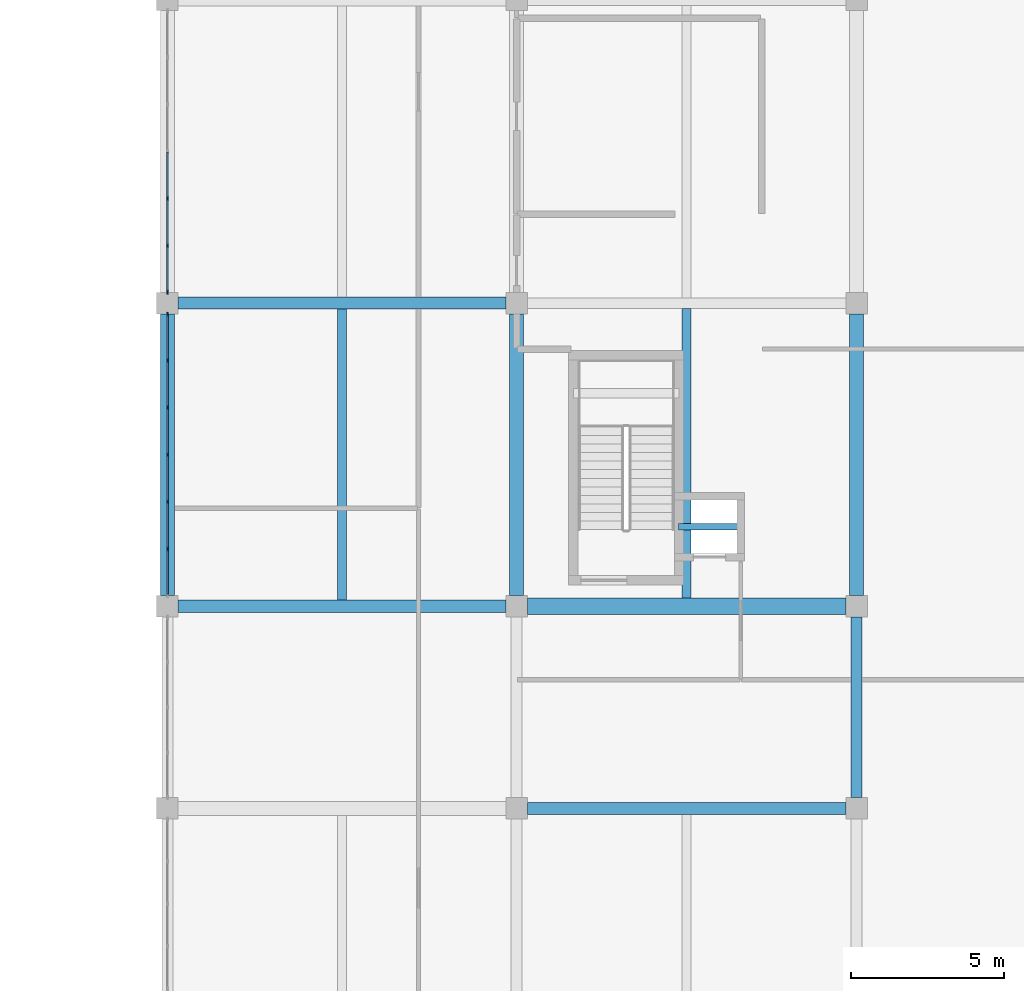
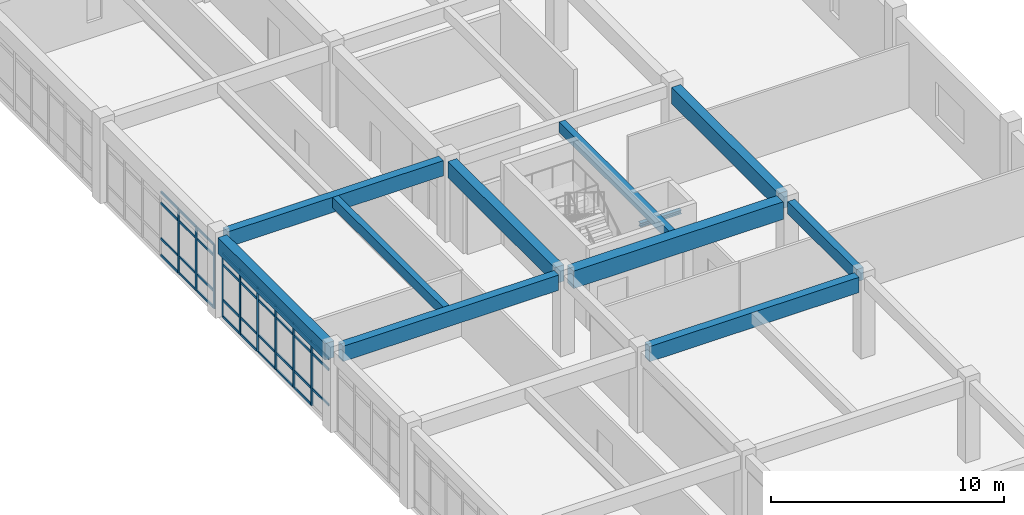
# One storey, part 25 of 57: 44 members, 11 beams, 2 elements without a shape of their own.
"""IFC4 building model written with IfcOpenShell, lengths in metres."""

from ifc_helpers import new_model, si_unit, direction, frame, origin, origin_2d, place, context, subcontext, project, spatial, rectangle, i_section, extrude, material, layer, layer_set, material_profile, profile_set, type_object, element, aggregate, save


model = new_model("IFC4")

# Units and contexts
model_context = context("Model", 3, precision=1e-05, world=origin(), true_north=direction((0.0, 1.0)))
body_context = subcontext(model_context, "Body", "Model", "MODEL_VIEW")
ifc_project = project(units=[si_unit("LENGTHUNIT", "METRE"), si_unit("AREAUNIT", "SQUARE_METRE"), si_unit("VOLUMEUNIT", "CUBIC_METRE"), si_unit("PLANEANGLEUNIT", "RADIAN"), si_unit("MASSUNIT", "GRAM", prefix="KILO")], contexts=[model_context])

# Site, building, storey
site_placement = place(None, origin())
site = spatial("IfcSite", under=ifc_project, at=site_placement, CompositionType="ELEMENT")
building_placement = place(site_placement, origin())
building = spatial("IfcBuilding", under=site, at=building_placement, Name="Miralva Faculty of Natural Sciences", CompositionType="ELEMENT")
storey_placement = place(building_placement, frame((0.0, 0.0, 15.0)))
storey = spatial("IfcBuildingStorey", under=building, at=storey_placement, Name="L03", CompositionType="ELEMENT", Elevation=15.0)

# Beams
ifc_material_1 = material(Name="Concrete C40/50", Category="concrete")
ifc_material_profile_1 = material_profile(ifc_material_1, rectangle(XDim=0.449951171875, YDim=0.85009765625, at=origin_2d()), Name="RC 450x850")
ifc_profile_set_1 = profile_set([ifc_material_profile_1], Name="Concrete C40/50")
beam_type_1 = type_object("IfcBeamType", Name="BM-B01", PredefinedType="BEAM", material=ifc_profile_set_1)
for number, where, z_axis, x_axis, name in (
    (1, (133.800048828125, 45.949951171875, 3.784912109375), (0.0, 1.0, 0.0), (-1.0, 0.0, 0.0), "Girder NS L03-116"),
    (2, (145.199951171875, 45.949951171875, 3.784912109375), (0.0, 1.0, 0.0), (-1.0, 0.0, 0.0), "Girder NS L03-123"),
    (3, (156.300048828125, 45.949951171875, 3.784912109375), (0.0, 1.0, 0.0), (-1.0, 0.0, 0.0), "Girder NS L03-130"),
):
    element("IfcBeam", number, at=place(storey_placement, frame(where, z_axis=z_axis, x_axis=x_axis)), inside=storey, type_object=beam_type_1, Name=name, PredefinedType="BEAM", context=body_context, shape_type="SweptSolid", body=[
        extrude(rectangle(XDim=0.449951171875, YDim=0.85009765625, at=origin_2d()), origin(), (0.0, 0.0, 1.0), 9.199951171875),
    ])
ifc_material_profile_2 = material_profile(ifc_material_1, rectangle(XDim=0.39990234375, YDim=0.800048828125, at=origin_2d()), Name="RC 400x800")
ifc_profile_set_2 = profile_set([ifc_material_profile_2], Name="Concrete C40/50")
beam_type_2 = type_object("IfcBeamType", Name="BM-B02", PredefinedType="BEAM", material=ifc_profile_set_2)
beam_1_placement = place(storey_placement, frame((145.550048828125, 39.0, 3.81005859375), z_axis=(1.0, 0.0, 0.0), x_axis=(0.0, 1.0, 0.0)))
element("IfcBeam", 4, at=beam_1_placement, inside=storey, type_object=beam_type_2, Name="Girder EW L03-34", PredefinedType="BEAM", context=body_context, shape_type="SweptSolid", body=[
    extrude(rectangle(XDim=0.39990234375, YDim=0.800048828125, at=origin_2d()), origin(), (0.0, 0.0, 1.0), 10.39990234375),
])
for number, where, z_axis, x_axis, name in (
    (5, (134.14990234375, 45.60009765625, 3.81005859375), (1.0, 0.0, 0.0), (0.0, 1.0, 0.0), "Girder EW L03-38"),
    (6, (134.14990234375, 55.5, 3.81005859375), (1.0, 0.0, 0.0), (0.0, 1.0, 0.0), "Girder EW L03-42"),
):
    element("IfcBeam", number, at=place(storey_placement, frame(where, z_axis=z_axis, x_axis=x_axis)), inside=storey, type_object=beam_type_2, Name=name, PredefinedType="BEAM", context=body_context, shape_type="SweptSolid", body=[
        extrude(rectangle(XDim=0.39990234375, YDim=0.800048828125, at=origin_2d()), origin(), (0.0, 0.0, 1.0), 10.7001953125),
    ])
ifc_material_profile_3 = material_profile(ifc_material_1, rectangle(XDim=0.35009765625, YDim=0.64990234375, at=origin_2d()), Name="RC 350x650")
ifc_profile_set_3 = profile_set([ifc_material_profile_3], Name="Concrete C40/50")
beam_type_3 = type_object("IfcBeamType", Name="BM-B05", PredefinedType="BEAM", material=ifc_profile_set_3)
beam_2_placement = place(storey_placement, frame((156.300048828125, 39.35009765625, 3.885009765625), z_axis=(0.0, 1.0, 0.0), x_axis=(-1.0, 0.0, 0.0)))
element("IfcBeam", 7, at=beam_2_placement, inside=storey, type_object=beam_type_3, Name="Girder NS L03-129", PredefinedType="BEAM", context=body_context, shape_type="SweptSolid", body=[
    extrude(rectangle(XDim=0.35009765625, YDim=0.64990234375, at=origin_2d()), origin(), (0.0, 0.0, 1.0), 5.89990234375),
])
ifc_material_profile_4 = material_profile(ifc_material_1, rectangle(XDim=0.5400390625, YDim=0.919921875, at=origin_2d()), Name="RC 540x920")
ifc_profile_set_4 = profile_set([ifc_material_profile_4], Name="Concrete C40/50")
beam_type_4 = type_object("IfcBeamType", Name="BM-BG21", PredefinedType="BEAM", material=ifc_profile_set_4)
beam_3_placement = place(storey_placement, frame((145.550048828125, 45.60009765625, 3.75), z_axis=(1.0, 0.0, 0.0), x_axis=(0.0, 1.0, 0.0)))
element("IfcBeam", 8, at=beam_3_placement, inside=storey, type_object=beam_type_4, Name="Girder EW L03-39", PredefinedType="BEAM", context=body_context, shape_type="SweptSolid", body=[
    extrude(rectangle(XDim=0.5400390625, YDim=0.919921875, at=origin_2d()), origin(), (0.0, 0.0, 1.0), 10.39990234375),
])
ifc_material_profile_5 = material_profile(ifc_material_1, rectangle(XDim=0.300048828125, YDim=0.550048828125, at=origin_2d()), Name="RC 300x550")
ifc_profile_set_5 = profile_set([ifc_material_profile_5], Name="Concrete C40/50")
beam_type_5 = type_object("IfcBeamType", Name="BM-J02", PredefinedType="JOIST", material=ifc_profile_set_5)
beam_4_placement = place(storey_placement, frame((139.5, 45.800048828125, 3.93505859375), z_axis=(0.0, 1.0, 0.0), x_axis=(-1.0, 0.0, 0.0)))
element("IfcBeam", 9, at=beam_4_placement, inside=storey, type_object=beam_type_5, Name="Floor joist L03-13", PredefinedType="JOIST", context=body_context, shape_type="SweptSolid", body=[
    extrude(rectangle(XDim=0.300048828125, YDim=0.550048828125, at=origin_2d()), origin(), (0.0, 0.0, 1.0), 9.5),
])
beam_5_placement = place(storey_placement, frame((150.75, 45.8701171875, 3.93505859375), z_axis=(0.0, 1.0, 0.0), x_axis=(-1.0, 0.0, 0.0)))
element("IfcBeam", 10, at=beam_5_placement, inside=storey, type_object=beam_type_5, Name="Floor joist L03-14", PredefinedType="JOIST", context=body_context, shape_type="SweptSolid", body=[
    extrude(rectangle(XDim=0.300048828125, YDim=0.550048828125, at=origin_2d()), origin(), (0.0, 0.0, 1.0), 9.4599609375),
])
ifc_material_2 = material(Name="Steel S355", Category="steel")
ifc_material_profile_6 = material_profile(ifc_material_2, i_section(OverallWidth=0.202880859375, OverallDepth=0.202880859375, WebThickness=0.007080078125, FlangeThickness=0.010986328125, FilletRadius=0.010009765625, at=origin_2d()), Name="W200x46")
ifc_profile_set_6 = profile_set([ifc_material_profile_6], Name="Steel S355")
beam_type_6 = type_object("IfcBeamType", Name="BM-SB04", PredefinedType="BEAM", material=ifc_profile_set_6)
beam_6_placement = place(storey_placement, frame((150.47998046875, 48.199951171875, 3.199951171875), z_axis=(1.0, 0.0, 0.0), x_axis=(0.0, 1.0, 0.0)))
element("IfcBeam", 11, at=beam_6_placement, inside=storey, type_object=beam_type_6, Name="Lift L-06 hoistway separator steel beam", PredefinedType="BEAM", context=body_context, shape_type="SweptSolid", body=[
    extrude(i_section(OverallWidth=0.202880859375, OverallDepth=0.202880859375, WebThickness=0.007080078125, FlangeThickness=0.010986328125, FilletRadius=0.010009765625, at=origin_2d()), origin(), (0.0, 0.0, 1.0), 2.0400390625),
])

# Curtain wall, members
ifc_material_3 = material(Name="Laminated solar-control glass", Category="glass")
ifc_layer = layer(ifc_material_3, 0.179931640625, Name="CW-COM-L03")
ifc_layer_set = layer_set([ifc_layer], Name="Laminated solar-control glass")
curtain_wall_type = type_object("IfcCurtainWallType", Name="CW-COM-L03", PredefinedType="USERDEFINED", material=ifc_layer_set)
curtain_wall_1_placement = place(storey_placement, origin())
curtain_wall_1 = element("IfcCurtainWall", 12, at=curtain_wall_1_placement, inside=storey, type_object=curtain_wall_type, Name="Curtain wall CW-11 L03-279", ObjectType="UNITISED CURTAIN WALL", PredefinedType="USERDEFINED")
ifc_material_4 = material(Name="Anodised aluminium", Category="aluminium")
ifc_material_profile_7 = material_profile(ifc_material_4, rectangle(XDim=0.06005859375, YDim=0.139892578125, at=origin_2d()), Name="MULLION 60x140")
ifc_profile_set_7 = profile_set([ifc_material_profile_7], Name="Anodised aluminium")
member_type_1 = type_object("IfcMemberType", Name="CW-M03", PredefinedType="MULLION", material=ifc_profile_set_7)
member_1_placement = place(storey_placement, frame((133.800048828125, 47.473388671875, 0.0), z_axis=(0.0, 0.0, 1.0), x_axis=(-1.0, 0.0, 0.0)))
member_1 = element("IfcMember", 13, at=member_1_placement, type_object=member_type_1, Name="CW-11 mullion 2", PredefinedType="MULLION", context=body_context, shape_type="SweptSolid", body=[
    extrude(rectangle(XDim=0.06005859375, YDim=0.139892578125, at=origin_2d()), origin(), (0.0, 0.0, 1.0), 3.35498046875),
])
member_2_placement = place(storey_placement, frame((133.800048828125, 49.01171875, 0.0), z_axis=(0.0, 0.0, 1.0), x_axis=(-1.0, 0.0, 0.0)))
member_2 = element("IfcMember", 14, at=member_2_placement, type_object=member_type_1, Name="CW-11 mullion 3", PredefinedType="MULLION", context=body_context, shape_type="SweptSolid", body=[
    extrude(rectangle(XDim=0.06005859375, YDim=0.139892578125, at=origin_2d()), origin(), (0.0, 0.0, 1.0), 3.35498046875),
])
member_3_placement = place(storey_placement, frame((133.800048828125, 50.550048828125, 0.0), z_axis=(0.0, 0.0, 1.0), x_axis=(-1.0, 0.0, 0.0)))
member_3 = element("IfcMember", 15, at=member_3_placement, type_object=member_type_1, Name="CW-11 mullion 4", PredefinedType="MULLION", context=body_context, shape_type="SweptSolid", body=[
    extrude(rectangle(XDim=0.06005859375, YDim=0.139892578125, at=origin_2d()), origin(), (0.0, 0.0, 1.0), 3.35498046875),
])
member_4_placement = place(storey_placement, frame((133.800048828125, 52.08837890625, 0.0), z_axis=(0.0, 0.0, 1.0), x_axis=(-1.0, 0.0, 0.0)))
member_4 = element("IfcMember", 16, at=member_4_placement, type_object=member_type_1, Name="CW-11 mullion 5", PredefinedType="MULLION", context=body_context, shape_type="SweptSolid", body=[
    extrude(rectangle(XDim=0.06005859375, YDim=0.139892578125, at=origin_2d()), origin(), (0.0, 0.0, 1.0), 3.35498046875),
])
member_5_placement = place(storey_placement, frame((133.800048828125, 53.626708984375, 0.0), z_axis=(0.0, 0.0, 1.0), x_axis=(-1.0, 0.0, 0.0)))
member_5 = element("IfcMember", 17, at=member_5_placement, type_object=member_type_1, Name="CW-11 mullion 6", PredefinedType="MULLION", context=body_context, shape_type="SweptSolid", body=[
    extrude(rectangle(XDim=0.06005859375, YDim=0.139892578125, at=origin_2d()), origin(), (0.0, 0.0, 1.0), 3.35498046875),
])
member_6_placement = place(storey_placement, frame((133.800048828125, 55.135009765625, 0.0), z_axis=(0.0, 0.0, 1.0), x_axis=(-1.0, 0.0, 0.0)))
member_6 = element("IfcMember", 18, at=member_6_placement, type_object=member_type_1, Name="CW-11 mullion 7", PredefinedType="MULLION", context=body_context, shape_type="SweptSolid", body=[
    extrude(rectangle(XDim=0.06005859375, YDim=0.139892578125, at=origin_2d()), origin(), (0.0, 0.0, 1.0), 3.35498046875),
])

curtain_wall_2_placement = place(storey_placement, origin())
curtain_wall_2 = element("IfcCurtainWall", 19, at=curtain_wall_2_placement, inside=storey, type_object=curtain_wall_type, Name="Curtain wall CW-11 L03-280", ObjectType="UNITISED CURTAIN WALL", PredefinedType="USERDEFINED")
member_7_placement = place(storey_placement, frame((133.800048828125, 55.864990234375, 0.0), z_axis=(0.0, 0.0, 1.0), x_axis=(-1.0, 0.0, 0.0)))
member_7 = element("IfcMember", 20, at=member_7_placement, type_object=member_type_1, Name="CW-11 mullion 1", PredefinedType="MULLION", context=body_context, shape_type="SweptSolid", body=[
    extrude(rectangle(XDim=0.06005859375, YDim=0.139892578125, at=origin_2d()), origin(), (0.0, 0.0, 1.0), 3.35498046875),
])
member_8_placement = place(storey_placement, frame((133.800048828125, 57.373291015625, 0.0), z_axis=(0.0, 0.0, 1.0), x_axis=(-1.0, 0.0, 0.0)))
member_8 = element("IfcMember", 21, at=member_8_placement, type_object=member_type_1, Name="CW-11 mullion 2", PredefinedType="MULLION", context=body_context, shape_type="SweptSolid", body=[
    extrude(rectangle(XDim=0.06005859375, YDim=0.139892578125, at=origin_2d()), origin(), (0.0, 0.0, 1.0), 3.35498046875),
])
member_9_placement = place(storey_placement, frame((133.800048828125, 58.91162109375, 0.0), z_axis=(0.0, 0.0, 1.0), x_axis=(-1.0, 0.0, 0.0)))
member_9 = element("IfcMember", 22, at=member_9_placement, type_object=member_type_1, Name="CW-11 mullion 3", PredefinedType="MULLION", context=body_context, shape_type="SweptSolid", body=[
    extrude(rectangle(XDim=0.06005859375, YDim=0.139892578125, at=origin_2d()), origin(), (0.0, 0.0, 1.0), 3.35498046875),
])

# Member
ifc_material_profile_8 = material_profile(ifc_material_4, rectangle(XDim=0.06005859375, YDim=0.1201171875, at=origin_2d()), Name="TRANSOM 60x120")
ifc_profile_set_8 = profile_set([ifc_material_profile_8], Name="Anodised aluminium")
member_type_2 = type_object("IfcMemberType", Name="CW-T02", PredefinedType="USERDEFINED", material=ifc_profile_set_8)
member_10_placement = place(storey_placement, frame((133.800048828125, 45.9951171875, 0.89990234375), z_axis=(0.0, 1.0, 0.0), x_axis=(-1.0, 0.0, 0.0)))
member_10 = element("IfcMember", 23, at=member_10_placement, type_object=member_type_2, Name="CW-11 transom 1.2", ObjectType="TRANSOM", PredefinedType="USERDEFINED", context=body_context, shape_type="SweptSolid", body=[
    extrude(rectangle(XDim=0.06005859375, YDim=0.1201171875, at=origin_2d()), origin(), (0.0, 0.0, 1.0), 1.4482421875),
])

member_11_placement = place(storey_placement, frame((133.800048828125, 45.9951171875, 2.7548828125), z_axis=(0.0, 1.0, 0.0), x_axis=(-1.0, 0.0, 0.0)))
member_11 = element("IfcMember", 24, at=member_11_placement, type_object=member_type_2, Name="CW-11 transom 1.3", ObjectType="TRANSOM", PredefinedType="USERDEFINED", context=body_context, shape_type="SweptSolid", body=[
    extrude(rectangle(XDim=0.06005859375, YDim=0.1201171875, at=origin_2d()), origin(), (0.0, 0.0, 1.0), 1.4482421875),
])

member_12_placement = place(storey_placement, frame((133.800048828125, 45.9951171875, 3.324951171875), z_axis=(0.0, 1.0, 0.0), x_axis=(-1.0, 0.0, 0.0)))
member_12 = element("IfcMember", 25, at=member_12_placement, type_object=member_type_2, Name="CW-11 transom 1.4", ObjectType="TRANSOM", PredefinedType="USERDEFINED", context=body_context, shape_type="SweptSolid", body=[
    extrude(rectangle(XDim=0.06005859375, YDim=0.1201171875, at=origin_2d()), origin(), (0.0, 0.0, 1.0), 1.4482421875),
])

member_13_placement = place(storey_placement, frame((133.800048828125, 47.50341796875, 0.030029296875), z_axis=(0.0, 1.0, 0.0), x_axis=(-1.0, 0.0, 0.0)))
member_13 = element("IfcMember", 26, at=member_13_placement, type_object=member_type_2, Name="CW-11 transom 2.1", ObjectType="TRANSOM", PredefinedType="USERDEFINED", context=body_context, shape_type="SweptSolid", body=[
    extrude(rectangle(XDim=0.06005859375, YDim=0.1201171875, at=origin_2d()), origin(), (0.0, 0.0, 1.0), 1.478271484375),
])

member_14_placement = place(storey_placement, frame((133.800048828125, 47.50341796875, 0.89990234375), z_axis=(0.0, 1.0, 0.0), x_axis=(-1.0, 0.0, 0.0)))
member_14 = element("IfcMember", 27, at=member_14_placement, type_object=member_type_2, Name="CW-11 transom 2.2", ObjectType="TRANSOM", PredefinedType="USERDEFINED", context=body_context, shape_type="SweptSolid", body=[
    extrude(rectangle(XDim=0.06005859375, YDim=0.1201171875, at=origin_2d()), origin(), (0.0, 0.0, 1.0), 1.478271484375),
])

member_15_placement = place(storey_placement, frame((133.800048828125, 47.50341796875, 2.7548828125), z_axis=(0.0, 1.0, 0.0), x_axis=(-1.0, 0.0, 0.0)))
member_15 = element("IfcMember", 28, at=member_15_placement, type_object=member_type_2, Name="CW-11 transom 2.3", ObjectType="TRANSOM", PredefinedType="USERDEFINED", context=body_context, shape_type="SweptSolid", body=[
    extrude(rectangle(XDim=0.06005859375, YDim=0.1201171875, at=origin_2d()), origin(), (0.0, 0.0, 1.0), 1.478271484375),
])

member_16_placement = place(storey_placement, frame((133.800048828125, 47.50341796875, 3.324951171875), z_axis=(0.0, 1.0, 0.0), x_axis=(-1.0, 0.0, 0.0)))
member_16 = element("IfcMember", 29, at=member_16_placement, type_object=member_type_2, Name="CW-11 transom 2.4", ObjectType="TRANSOM", PredefinedType="USERDEFINED", context=body_context, shape_type="SweptSolid", body=[
    extrude(rectangle(XDim=0.06005859375, YDim=0.1201171875, at=origin_2d()), origin(), (0.0, 0.0, 1.0), 1.478271484375),
])

member_17_placement = place(storey_placement, frame((133.800048828125, 49.041748046875, 0.030029296875), z_axis=(0.0, 1.0, 0.0), x_axis=(-1.0, 0.0, 0.0)))
member_17 = element("IfcMember", 30, at=member_17_placement, type_object=member_type_2, Name="CW-11 transom 3.1", ObjectType="TRANSOM", PredefinedType="USERDEFINED", context=body_context, shape_type="SweptSolid", body=[
    extrude(rectangle(XDim=0.06005859375, YDim=0.1201171875, at=origin_2d()), origin(), (0.0, 0.0, 1.0), 1.478271484375),
])

member_18_placement = place(storey_placement, frame((133.800048828125, 49.041748046875, 0.89990234375), z_axis=(0.0, 1.0, 0.0), x_axis=(-1.0, 0.0, 0.0)))
member_18 = element("IfcMember", 31, at=member_18_placement, type_object=member_type_2, Name="CW-11 transom 3.2", ObjectType="TRANSOM", PredefinedType="USERDEFINED", context=body_context, shape_type="SweptSolid", body=[
    extrude(rectangle(XDim=0.06005859375, YDim=0.1201171875, at=origin_2d()), origin(), (0.0, 0.0, 1.0), 1.478271484375),
])

member_19_placement = place(storey_placement, frame((133.800048828125, 49.041748046875, 2.7548828125), z_axis=(0.0, 1.0, 0.0), x_axis=(-1.0, 0.0, 0.0)))
member_19 = element("IfcMember", 32, at=member_19_placement, type_object=member_type_2, Name="CW-11 transom 3.3", ObjectType="TRANSOM", PredefinedType="USERDEFINED", context=body_context, shape_type="SweptSolid", body=[
    extrude(rectangle(XDim=0.06005859375, YDim=0.1201171875, at=origin_2d()), origin(), (0.0, 0.0, 1.0), 1.478271484375),
])

member_20_placement = place(storey_placement, frame((133.800048828125, 49.041748046875, 3.324951171875), z_axis=(0.0, 1.0, 0.0), x_axis=(-1.0, 0.0, 0.0)))
member_20 = element("IfcMember", 33, at=member_20_placement, type_object=member_type_2, Name="CW-11 transom 3.4", ObjectType="TRANSOM", PredefinedType="USERDEFINED", context=body_context, shape_type="SweptSolid", body=[
    extrude(rectangle(XDim=0.06005859375, YDim=0.1201171875, at=origin_2d()), origin(), (0.0, 0.0, 1.0), 1.478271484375),
])

member_21_placement = place(storey_placement, frame((133.800048828125, 50.580078125, 0.030029296875), z_axis=(0.0, 1.0, 0.0), x_axis=(-1.0, 0.0, 0.0)))
member_21 = element("IfcMember", 34, at=member_21_placement, type_object=member_type_2, Name="CW-11 transom 4.1", ObjectType="TRANSOM", PredefinedType="USERDEFINED", context=body_context, shape_type="SweptSolid", body=[
    extrude(rectangle(XDim=0.06005859375, YDim=0.1201171875, at=origin_2d()), origin(), (0.0, 0.0, 1.0), 1.478271484375),
])

member_22_placement = place(storey_placement, frame((133.800048828125, 50.580078125, 0.89990234375), z_axis=(0.0, 1.0, 0.0), x_axis=(-1.0, 0.0, 0.0)))
member_22 = element("IfcMember", 35, at=member_22_placement, type_object=member_type_2, Name="CW-11 transom 4.2", ObjectType="TRANSOM", PredefinedType="USERDEFINED", context=body_context, shape_type="SweptSolid", body=[
    extrude(rectangle(XDim=0.06005859375, YDim=0.1201171875, at=origin_2d()), origin(), (0.0, 0.0, 1.0), 1.478271484375),
])

member_23_placement = place(storey_placement, frame((133.800048828125, 50.580078125, 2.7548828125), z_axis=(0.0, 1.0, 0.0), x_axis=(-1.0, 0.0, 0.0)))
member_23 = element("IfcMember", 36, at=member_23_placement, type_object=member_type_2, Name="CW-11 transom 4.3", ObjectType="TRANSOM", PredefinedType="USERDEFINED", context=body_context, shape_type="SweptSolid", body=[
    extrude(rectangle(XDim=0.06005859375, YDim=0.1201171875, at=origin_2d()), origin(), (0.0, 0.0, 1.0), 1.478271484375),
])

member_24_placement = place(storey_placement, frame((133.800048828125, 50.580078125, 3.324951171875), z_axis=(0.0, 1.0, 0.0), x_axis=(-1.0, 0.0, 0.0)))
member_24 = element("IfcMember", 37, at=member_24_placement, type_object=member_type_2, Name="CW-11 transom 4.4", ObjectType="TRANSOM", PredefinedType="USERDEFINED", context=body_context, shape_type="SweptSolid", body=[
    extrude(rectangle(XDim=0.06005859375, YDim=0.1201171875, at=origin_2d()), origin(), (0.0, 0.0, 1.0), 1.478271484375),
])

member_25_placement = place(storey_placement, frame((133.800048828125, 52.118408203125, 0.030029296875), z_axis=(0.0, 1.0, 0.0), x_axis=(-1.0, 0.0, 0.0)))
member_25 = element("IfcMember", 38, at=member_25_placement, type_object=member_type_2, Name="CW-11 transom 5.1", ObjectType="TRANSOM", PredefinedType="USERDEFINED", context=body_context, shape_type="SweptSolid", body=[
    extrude(rectangle(XDim=0.06005859375, YDim=0.1201171875, at=origin_2d()), origin(), (0.0, 0.0, 1.0), 1.478271484375),
])

member_26_placement = place(storey_placement, frame((133.800048828125, 52.118408203125, 0.89990234375), z_axis=(0.0, 1.0, 0.0), x_axis=(-1.0, 0.0, 0.0)))
member_26 = element("IfcMember", 39, at=member_26_placement, type_object=member_type_2, Name="CW-11 transom 5.2", ObjectType="TRANSOM", PredefinedType="USERDEFINED", context=body_context, shape_type="SweptSolid", body=[
    extrude(rectangle(XDim=0.06005859375, YDim=0.1201171875, at=origin_2d()), origin(), (0.0, 0.0, 1.0), 1.478271484375),
])

member_27_placement = place(storey_placement, frame((133.800048828125, 52.118408203125, 2.7548828125), z_axis=(0.0, 1.0, 0.0), x_axis=(-1.0, 0.0, 0.0)))
member_27 = element("IfcMember", 40, at=member_27_placement, type_object=member_type_2, Name="CW-11 transom 5.3", ObjectType="TRANSOM", PredefinedType="USERDEFINED", context=body_context, shape_type="SweptSolid", body=[
    extrude(rectangle(XDim=0.06005859375, YDim=0.1201171875, at=origin_2d()), origin(), (0.0, 0.0, 1.0), 1.478271484375),
])

member_28_placement = place(storey_placement, frame((133.800048828125, 52.118408203125, 3.324951171875), z_axis=(0.0, 1.0, 0.0), x_axis=(-1.0, 0.0, 0.0)))
member_28 = element("IfcMember", 41, at=member_28_placement, type_object=member_type_2, Name="CW-11 transom 5.4", ObjectType="TRANSOM", PredefinedType="USERDEFINED", context=body_context, shape_type="SweptSolid", body=[
    extrude(rectangle(XDim=0.06005859375, YDim=0.1201171875, at=origin_2d()), origin(), (0.0, 0.0, 1.0), 1.478271484375),
])

member_29_placement = place(storey_placement, frame((133.800048828125, 53.65673828125, 0.030029296875), z_axis=(0.0, 1.0, 0.0), x_axis=(-1.0, 0.0, 0.0)))
member_29 = element("IfcMember", 42, at=member_29_placement, type_object=member_type_2, Name="CW-11 transom 6.1", ObjectType="TRANSOM", PredefinedType="USERDEFINED", context=body_context, shape_type="SweptSolid", body=[
    extrude(rectangle(XDim=0.06005859375, YDim=0.1201171875, at=origin_2d()), origin(), (0.0, 0.0, 1.0), 1.4482421875),
])

member_30_placement = place(storey_placement, frame((133.800048828125, 53.65673828125, 0.89990234375), z_axis=(0.0, 1.0, 0.0), x_axis=(-1.0, 0.0, 0.0)))
member_30 = element("IfcMember", 43, at=member_30_placement, type_object=member_type_2, Name="CW-11 transom 6.2", ObjectType="TRANSOM", PredefinedType="USERDEFINED", context=body_context, shape_type="SweptSolid", body=[
    extrude(rectangle(XDim=0.06005859375, YDim=0.1201171875, at=origin_2d()), origin(), (0.0, 0.0, 1.0), 1.4482421875),
])

member_31_placement = place(storey_placement, frame((133.800048828125, 53.65673828125, 2.7548828125), z_axis=(0.0, 1.0, 0.0), x_axis=(-1.0, 0.0, 0.0)))
member_31 = element("IfcMember", 44, at=member_31_placement, type_object=member_type_2, Name="CW-11 transom 6.3", ObjectType="TRANSOM", PredefinedType="USERDEFINED", context=body_context, shape_type="SweptSolid", body=[
    extrude(rectangle(XDim=0.06005859375, YDim=0.1201171875, at=origin_2d()), origin(), (0.0, 0.0, 1.0), 1.4482421875),
])

member_32_placement = place(storey_placement, frame((133.800048828125, 53.65673828125, 3.324951171875), z_axis=(0.0, 1.0, 0.0), x_axis=(-1.0, 0.0, 0.0)))
member_32 = element("IfcMember", 45, at=member_32_placement, type_object=member_type_2, Name="CW-11 transom 6.4", ObjectType="TRANSOM", PredefinedType="USERDEFINED", context=body_context, shape_type="SweptSolid", body=[
    extrude(rectangle(XDim=0.06005859375, YDim=0.1201171875, at=origin_2d()), origin(), (0.0, 0.0, 1.0), 1.4482421875),
])

aggregate(curtain_wall_1, [member_1, member_2, member_3, member_4, member_5, member_6, member_10, member_11, member_12, member_13, member_14, member_15, member_16, member_17, member_18, member_19, member_20, member_21, member_22, member_23, member_24, member_25, member_26, member_27, member_28, member_29, member_30, member_31, member_32])

member_33_placement = place(storey_placement, frame((133.800048828125, 55.89501953125, 0.030029296875), z_axis=(0.0, 1.0, 0.0), x_axis=(-1.0, 0.0, 0.0)))
member_33 = element("IfcMember", 46, at=member_33_placement, type_object=member_type_2, Name="CW-11 transom 1.1", ObjectType="TRANSOM", PredefinedType="USERDEFINED", context=body_context, shape_type="SweptSolid", body=[
    extrude(rectangle(XDim=0.06005859375, YDim=0.1201171875, at=origin_2d()), origin(), (0.0, 0.0, 1.0), 1.4482421875),
])

member_34_placement = place(storey_placement, frame((133.800048828125, 55.89501953125, 0.89990234375), z_axis=(0.0, 1.0, 0.0), x_axis=(-1.0, 0.0, 0.0)))
member_34 = element("IfcMember", 47, at=member_34_placement, type_object=member_type_2, Name="CW-11 transom 1.2", ObjectType="TRANSOM", PredefinedType="USERDEFINED", context=body_context, shape_type="SweptSolid", body=[
    extrude(rectangle(XDim=0.06005859375, YDim=0.1201171875, at=origin_2d()), origin(), (0.0, 0.0, 1.0), 1.4482421875),
])

member_35_placement = place(storey_placement, frame((133.800048828125, 55.89501953125, 2.7548828125), z_axis=(0.0, 1.0, 0.0), x_axis=(-1.0, 0.0, 0.0)))
member_35 = element("IfcMember", 48, at=member_35_placement, type_object=member_type_2, Name="CW-11 transom 1.3", ObjectType="TRANSOM", PredefinedType="USERDEFINED", context=body_context, shape_type="SweptSolid", body=[
    extrude(rectangle(XDim=0.06005859375, YDim=0.1201171875, at=origin_2d()), origin(), (0.0, 0.0, 1.0), 1.4482421875),
])

member_36_placement = place(storey_placement, frame((133.800048828125, 55.89501953125, 3.324951171875), z_axis=(0.0, 1.0, 0.0), x_axis=(-1.0, 0.0, 0.0)))
member_36 = element("IfcMember", 49, at=member_36_placement, type_object=member_type_2, Name="CW-11 transom 1.4", ObjectType="TRANSOM", PredefinedType="USERDEFINED", context=body_context, shape_type="SweptSolid", body=[
    extrude(rectangle(XDim=0.06005859375, YDim=0.1201171875, at=origin_2d()), origin(), (0.0, 0.0, 1.0), 1.4482421875),
])

member_37_placement = place(storey_placement, frame((133.800048828125, 57.4033203125, 0.030029296875), z_axis=(0.0, 1.0, 0.0), x_axis=(-1.0, 0.0, 0.0)))
member_37 = element("IfcMember", 50, at=member_37_placement, type_object=member_type_2, Name="CW-11 transom 2.1", ObjectType="TRANSOM", PredefinedType="USERDEFINED", context=body_context, shape_type="SweptSolid", body=[
    extrude(rectangle(XDim=0.06005859375, YDim=0.1201171875, at=origin_2d()), origin(), (0.0, 0.0, 1.0), 1.478271484375),
])

member_38_placement = place(storey_placement, frame((133.800048828125, 57.4033203125, 0.89990234375), z_axis=(0.0, 1.0, 0.0), x_axis=(-1.0, 0.0, 0.0)))
member_38 = element("IfcMember", 51, at=member_38_placement, type_object=member_type_2, Name="CW-11 transom 2.2", ObjectType="TRANSOM", PredefinedType="USERDEFINED", context=body_context, shape_type="SweptSolid", body=[
    extrude(rectangle(XDim=0.06005859375, YDim=0.1201171875, at=origin_2d()), origin(), (0.0, 0.0, 1.0), 1.478271484375),
])

member_39_placement = place(storey_placement, frame((133.800048828125, 57.4033203125, 2.7548828125), z_axis=(0.0, 1.0, 0.0), x_axis=(-1.0, 0.0, 0.0)))
member_39 = element("IfcMember", 52, at=member_39_placement, type_object=member_type_2, Name="CW-11 transom 2.3", ObjectType="TRANSOM", PredefinedType="USERDEFINED", context=body_context, shape_type="SweptSolid", body=[
    extrude(rectangle(XDim=0.06005859375, YDim=0.1201171875, at=origin_2d()), origin(), (0.0, 0.0, 1.0), 1.478271484375),
])

member_40_placement = place(storey_placement, frame((133.800048828125, 57.4033203125, 3.324951171875), z_axis=(0.0, 1.0, 0.0), x_axis=(-1.0, 0.0, 0.0)))
member_40 = element("IfcMember", 53, at=member_40_placement, type_object=member_type_2, Name="CW-11 transom 2.4", ObjectType="TRANSOM", PredefinedType="USERDEFINED", context=body_context, shape_type="SweptSolid", body=[
    extrude(rectangle(XDim=0.06005859375, YDim=0.1201171875, at=origin_2d()), origin(), (0.0, 0.0, 1.0), 1.478271484375),
])

member_41_placement = place(storey_placement, frame((133.800048828125, 58.941650390625, 0.030029296875), z_axis=(0.0, 1.0, 0.0), x_axis=(-1.0, 0.0, 0.0)))
member_41 = element("IfcMember", 54, at=member_41_placement, type_object=member_type_2, Name="CW-11 transom 3.1", ObjectType="TRANSOM", PredefinedType="USERDEFINED", context=body_context, shape_type="SweptSolid", body=[
    extrude(rectangle(XDim=0.06005859375, YDim=0.1201171875, at=origin_2d()), origin(), (0.0, 0.0, 1.0), 1.478271484375),
])

member_42_placement = place(storey_placement, frame((133.800048828125, 58.941650390625, 0.89990234375), z_axis=(0.0, 1.0, 0.0), x_axis=(-1.0, 0.0, 0.0)))
member_42 = element("IfcMember", 55, at=member_42_placement, type_object=member_type_2, Name="CW-11 transom 3.2", ObjectType="TRANSOM", PredefinedType="USERDEFINED", context=body_context, shape_type="SweptSolid", body=[
    extrude(rectangle(XDim=0.06005859375, YDim=0.1201171875, at=origin_2d()), origin(), (0.0, 0.0, 1.0), 1.478271484375),
])

member_43_placement = place(storey_placement, frame((133.800048828125, 58.941650390625, 2.7548828125), z_axis=(0.0, 1.0, 0.0), x_axis=(-1.0, 0.0, 0.0)))
member_43 = element("IfcMember", 56, at=member_43_placement, type_object=member_type_2, Name="CW-11 transom 3.3", ObjectType="TRANSOM", PredefinedType="USERDEFINED", context=body_context, shape_type="SweptSolid", body=[
    extrude(rectangle(XDim=0.06005859375, YDim=0.1201171875, at=origin_2d()), origin(), (0.0, 0.0, 1.0), 1.478271484375),
])

member_44_placement = place(storey_placement, frame((133.800048828125, 58.941650390625, 3.324951171875), z_axis=(0.0, 1.0, 0.0), x_axis=(-1.0, 0.0, 0.0)))
member_44 = element("IfcMember", 57, at=member_44_placement, type_object=member_type_2, Name="CW-11 transom 3.4", ObjectType="TRANSOM", PredefinedType="USERDEFINED", context=body_context, shape_type="SweptSolid", body=[
    extrude(rectangle(XDim=0.06005859375, YDim=0.1201171875, at=origin_2d()), origin(), (0.0, 0.0, 1.0), 1.478271484375),
])

aggregate(curtain_wall_2, [member_7, member_8, member_9, member_33, member_34, member_35, member_36, member_37, member_38, member_39, member_40, member_41, member_42, member_43, member_44])

save(model, "model.ifc")
